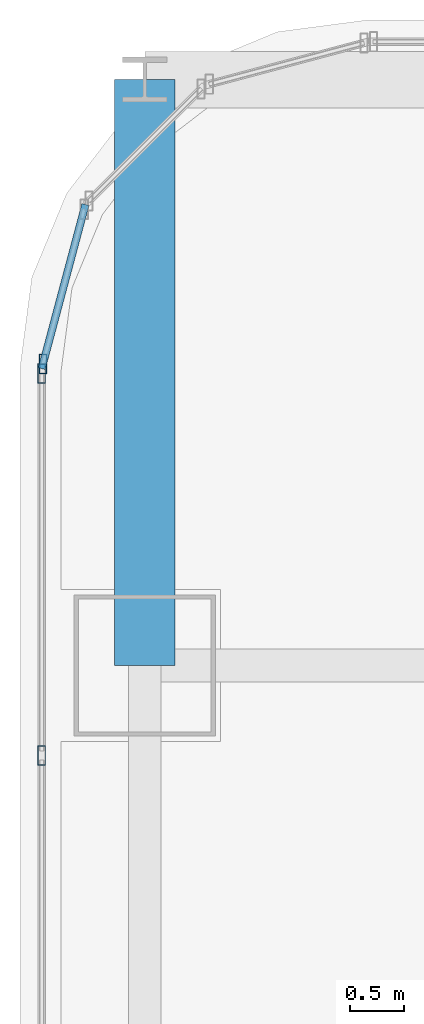
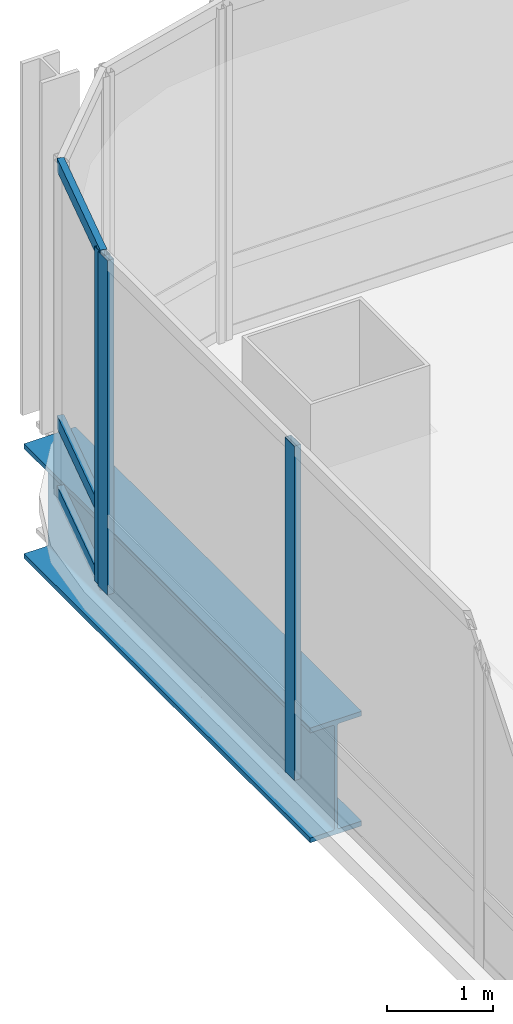
# One storey, part 22 of 39: 6 members, 1 beam, 2 elements without a shape of their own.
"""IFC4 building model written with IfcOpenShell, lengths in metres."""

import ifcopenshell
import ifcopenshell.guid

model = None  # the IFC model being written
_history = None  # IfcOwnerHistory: only IFC2X3 demands one
_inside = {}  # id of a spatial element -> (the spatial element, [elements in it])
_under = {}  # id of a project, library or spatial element -> (it, [spatial elements below it])
_declared = {}  # id of a project -> (the project, [libraries it declares])
_typed = {}  # id of a type object -> (the type object, [elements of that type])
_made_of = {}  # id of a material, layer set ... -> (it, [elements and type objects made of it])


def new_model(schema):
    """Start an empty IFC model of exactly this schema.

    Asked for "IFC4X3", IfcOpenShell would pick the latest addendum, in which some entities
    have other attributes; the version numbers below select the first issue.
    IFC2X3 requires an IfcOwnerHistory on every rooted entity: one is made here for all.
    """
    global model, _history
    if schema == "IFC4X3":
        model = ifcopenshell.file(schema_version=(4, 3, 0, 0))
    else:
        model = ifcopenshell.file(schema=schema)
    _inside.clear()
    _under.clear()
    _declared.clear()
    _typed.clear()
    _made_of.clear()
    _history = None
    if model.schema == "IFC2X3":
        org = make("IfcOrganization", Name="unknown")
        user = make(
            "IfcPersonAndOrganization",
            ThePerson=make("IfcPerson", FamilyName="unknown"),
            TheOrganization=org,
        )
        app = make(
            "IfcApplication",
            ApplicationDeveloper=org,
            Version="unknown",
            ApplicationFullName="unknown",
            ApplicationIdentifier="unknown",
        )
        _history = make(
            "IfcOwnerHistory",
            OwningUser=user,
            OwningApplication=app,
            ChangeAction="ADDED",
            CreationDate=0,
        )
    return model


def make(cls, **values):
    """One entity of the class cls with the attributes given. An attribute that is None is left unset."""
    return model.create_entity(
        cls, **{name: value for name, value in values.items() if value is not None}
    )


def rooted(cls, **values):
    """An entity with a GlobalId (a new one), such as an element, a storey or a relation."""
    return make(cls, GlobalId=ifcopenshell.guid.new(), OwnerHistory=_history, **values)


def si_unit(unit_type, name, prefix=None):
    """IfcSIUnit, for example si_unit("LENGTHUNIT", "METRE", prefix="MILLI")."""
    return make("IfcSIUnit", UnitType=unit_type, Prefix=prefix, Name=name)


def assignment(units):
    """IfcUnitAssignment: the units of a project."""
    return None if units is None else make("IfcUnitAssignment", Units=units)


def point(xyz):
    """IfcCartesianPoint."""
    return None if xyz is None else make("IfcCartesianPoint", Coordinates=xyz)


def direction(xyz):
    """IfcDirection."""
    return None if xyz is None else make("IfcDirection", DirectionRatios=xyz)


def frame(location, z_axis=None, x_axis=None):
    """IfcAxis2Placement3D, a coordinate frame: its origin and axes. An axis left out is left unset."""
    return make(
        "IfcAxis2Placement3D",
        Location=point(location),
        Axis=direction(z_axis),
        RefDirection=direction(x_axis),
    )


def frame_2d(location, x_axis=None):
    """IfcAxis2Placement2D, a coordinate frame in the plane: its origin and x axis."""
    return make(
        "IfcAxis2Placement2D", Location=point(location), RefDirection=direction(x_axis)
    )


def origin():
    """The frame at (0, 0, 0) with its axes left unset."""
    return frame((0.0, 0.0, 0.0))


def origin_2d():
    """The frame at (0, 0) in the plane with its x axis left unset."""
    return frame_2d((0.0, 0.0))


def place(relative_to, where):
    """IfcLocalPlacement: puts the frame where relative to a parent placement (None: the world)."""
    return make(
        "IfcLocalPlacement", PlacementRelTo=relative_to, RelativePlacement=where
    )


def context(
    kind, dimensions, precision=None, world=None, true_north=None, identifier=None
):
    """IfcGeometricRepresentationContext, for example the 3D "Model" context."""
    return make(
        "IfcGeometricRepresentationContext",
        ContextIdentifier=identifier,
        ContextType=kind,
        CoordinateSpaceDimension=dimensions,
        Precision=precision,
        WorldCoordinateSystem=world,
        TrueNorth=true_north,
    )


def subcontext(parent, identifier, kind, view, scale=None):
    """IfcGeometricRepresentationSubContext, for example "Body" below "Model"."""
    return make(
        "IfcGeometricRepresentationSubContext",
        ContextIdentifier=identifier,
        ContextType=kind,
        ParentContext=parent,
        TargetScale=scale,
        TargetView=view,
    )


def project(units=None, contexts=None):
    """IfcProject with its units and contexts."""
    return rooted(
        "IfcProject",
        Name="project",
        RepresentationContexts=contexts,
        UnitsInContext=assignment(units),
    )


def spatial(cls, under=None, at=None, **own):
    """A site, building, storey or space (cls), placed at a placement, below another one or the project."""
    s = rooted(cls, ObjectPlacement=at, **own)
    if under is not None:
        _under.setdefault(under.id(), (under, []))[1].append(s)
    return s


def profile(cls, at=None, kind="AREA", **sizes):
    """A parametric profile (cls). Its sizes go by their IFC names, for example OverallWidth=200.0."""
    return make(cls, ProfileType=kind, Position=at, **sizes)


def hollow_rectangle(**sizes):
    """IfcRectangleHollowProfileDef."""
    return profile("IfcRectangleHollowProfileDef", **sizes)


def i_section(**sizes):
    """IfcIShapeProfileDef."""
    return profile("IfcIShapeProfileDef", **sizes)


def extrude(swept, where, along, depth):
    """IfcExtrudedAreaSolid: the profile swept, set in the frame where, extruded along a direction by depth."""
    return make(
        "IfcExtrudedAreaSolid",
        SweptArea=swept,
        Position=where,
        ExtrudedDirection=direction(along),
        Depth=depth,
    )


def shape(context_of_items, identifier, shape_type, items):
    """IfcShapeRepresentation: the items that make up one representation, for example the "Body"."""
    return make(
        "IfcShapeRepresentation",
        ContextOfItems=context_of_items,
        RepresentationIdentifier=identifier,
        RepresentationType=shape_type,
        Items=items,
    )


def material(Name=None, Category=None):
    """IfcMaterial."""
    return make("IfcMaterial", Name=Name, Category=Category)


def material_profile(
    of_material, cross_section, Name=None, Category=None, Priority=None
):
    """IfcMaterialProfile: a cross section and its material."""
    return make(
        "IfcMaterialProfile",
        Name=Name,
        Material=of_material,
        Profile=cross_section,
        Priority=Priority,
        Category=Category,
    )


def profile_set(profiles, Name=None, composite=None):
    """IfcMaterialProfileSet."""
    return make(
        "IfcMaterialProfileSet",
        Name=Name,
        MaterialProfiles=profiles,
        CompositeProfile=composite,
    )


def made_of(thing, what):
    """Note that an element or type object is made of a material, layer set ...; save() writes the relation."""
    if what is not None:
        _made_of.setdefault(what.id(), (what, []))[1].append(thing)
    return thing


def type_object(cls, material=None, **own):
    """A type object (cls), such as IfcWallType, which elements share."""
    return made_of(rooted(cls, **own), material)


def element(
    cls,
    number,
    at=None,
    inside=None,
    cuts=None,
    type_object=None,
    material=None,
    context=None,
    identifier="Body",
    shape_type=None,
    held_by="IfcProductDefinitionShape",
    body=None,
    shapes=None,
    **own,
):
    """One element of the class cls, such as IfcWall. Its Tag is "e" and its number.

    at: its placement. inside: the storey or other place that contains it. cuts: it is an
    opening in that element (IfcRelVoidsElement). A single representation is given by context,
    identifier, shape_type and body (its items); several are given by shapes. held_by: the class
    of the entity that holds the representations. save() writes the other relations.
    """
    e = rooted(cls, Tag="e%d" % number, ObjectPlacement=at, **own)
    if body is not None:
        shapes = [shape(context, identifier, shape_type, body)]
    if shapes is not None:
        e.Representation = make(held_by, Representations=shapes)
    if inside is not None:
        _inside.setdefault(inside.id(), (inside, []))[1].append(e)
    if cuts is not None:
        rooted(
            "IfcRelVoidsElement", RelatingBuildingElement=cuts, RelatedOpeningElement=e
        )
    if type_object is not None:
        _typed.setdefault(type_object.id(), (type_object, []))[1].append(e)
    return made_of(e, material)


def aggregate(whole, parts):
    """IfcRelAggregates: a whole, such as a stair, and the parts it consists of."""
    return rooted("IfcRelAggregates", RelatingObject=whole, RelatedObjects=parts)


def save(model, path):
    """Write the relations noted so far, then the file.

    IfcRelAggregates (storeys below a building ...), IfcRelContainedInSpatialStructure (elements
    in a storey), IfcRelDefinesByType, IfcRelAssociatesMaterial and IfcRelDeclares: one each for
    every whole, place, type object, material and project.
    """
    for whole, parts in _under.values():
        aggregate(whole, parts)
    for where, things in _inside.values():
        rooted(
            "IfcRelContainedInSpatialStructure",
            RelatedElements=things,
            RelatingStructure=where,
        )
    for kind, things in _typed.values():
        rooted("IfcRelDefinesByType", RelatedObjects=things, RelatingType=kind)
    for what, things in _made_of.values():
        rooted("IfcRelAssociatesMaterial", RelatedObjects=things, RelatingMaterial=what)
    for by, libraries in _declared.values():
        rooted("IfcRelDeclares", RelatingContext=by, RelatedDefinitions=libraries)
    model.write(path)


model = new_model("IFC4")

# Units and contexts
model_context = context("Model", 3, precision=1e-05, world=origin(), true_north=direction((0.0, 1.0)))
body_context = subcontext(model_context, "Body", "Model", "MODEL_VIEW")
ifc_project = project(units=[si_unit("LENGTHUNIT", "METRE"), si_unit("AREAUNIT", "SQUARE_METRE"), si_unit("VOLUMEUNIT", "CUBIC_METRE"), si_unit("PLANEANGLEUNIT", "RADIAN"), si_unit("MASSUNIT", "GRAM", prefix="KILO")], contexts=[model_context])

# Site, building, storey
site_placement = place(None, origin())
site = spatial("IfcSite", under=ifc_project, at=site_placement, CompositionType="ELEMENT")
building_placement = place(site_placement, origin())
building = spatial("IfcBuilding", under=site, at=building_placement, Name="Punatoya Terracotta Tower", CompositionType="ELEMENT")
storey_placement = place(building_placement, frame((0.0, 0.0, 275.699951171875)))
storey = spatial("IfcBuildingStorey", under=building, at=storey_placement, Name="L65", CompositionType="ELEMENT", Elevation=275.699951171875)

# Beam
ifc_material_1 = material(Name="Steel S460", Category="steel")
ifc_material_profile_1 = material_profile(ifc_material_1, i_section(OverallWidth=0.56005859375, OverallDepth=1.320068359375, WebThickness=0.035888671875, FlangeThickness=0.054931640625, FilletRadius=0.01806640625, at=origin_2d()))
ifc_profile_set_1 = profile_set([ifc_material_profile_1], Name="Steel S460")
beam_type = type_object("IfcBeamType", Name="BM-TG-BLK", PredefinedType="BEAM", material=ifc_profile_set_1)
beam_placement = place(storey_placement, frame((-19.10009765625, 17.5, -0.85986328125), z_axis=(0.0, 1.0, 0.0), x_axis=(-1.0, 0.0, 0.0)))
element("IfcBeam", 1, at=beam_placement, inside=storey, type_object=beam_type, Name="BM-L65-CANT-N1", PredefinedType="BEAM", context=body_context, shape_type="SweptSolid", body=[
    extrude(i_section(OverallWidth=0.56005859375, OverallDepth=1.320068359375, WebThickness=0.035888671875, FlangeThickness=0.054931640625, FilletRadius=0.01806640625, at=origin_2d()), origin(), (0.0, 0.0, 1.0), 5.39990234375),
])

# Curtain wall, member
ifc_material_2 = material(Name="Aluminium 6063-T6 + Double Low-E Glass", Category="aluminium")
curtain_wall_type = type_object("IfcCurtainWallType", Name="CW-M3", PredefinedType="NOTDEFINED", material=ifc_material_2)
curtain_wall_1_placement = place(storey_placement, origin())
curtain_wall_1 = element("IfcCurtainWall", 2, at=curtain_wall_1_placement, inside=storey, type_object=curtain_wall_type, Name="L65 Curtain Wall CW-L65-CRN12", PredefinedType="NOTDEFINED")
ifc_material_3 = material(Name="Aluminium 6063-T6", Category="aluminium")
ifc_material_profile_2 = material_profile(ifc_material_3, hollow_rectangle(XDim=0.070068359375, YDim=0.179931640625, WallThickness=0.00390625, at=origin_2d()))
ifc_profile_set_2 = profile_set([ifc_material_profile_2], Name="Aluminium 6063-T6")
member_type_1 = type_object("IfcMemberType", Name="CW-MUL-M3", PredefinedType="MULLION", material=ifc_profile_set_2)
member_1_placement = place(storey_placement, frame((-20.038330078125, 20.280517578125, 0.0), z_axis=(0.0, 0.0, 1.0), x_axis=(1.0, 0.0, 0.0)))
member_1 = element("IfcMember", 3, at=member_1_placement, type_object=member_type_1, Name="CW-L65-CRN12 Mullion 01", PredefinedType="MULLION", context=body_context, shape_type="SweptSolid", body=[
    extrude(hollow_rectangle(XDim=0.070068359375, YDim=0.179931640625, WallThickness=0.00390625, at=origin_2d()), origin(), (0.0, 0.0, 1.0), 3.85009765625),
])

# Curtain wall, members
curtain_wall_2_placement = place(storey_placement, origin())
curtain_wall_2 = element("IfcCurtainWall", 4, at=curtain_wall_2_placement, inside=storey, type_object=curtain_wall_type, Name="L65 Curtain Wall CW-L65-W13-1", PredefinedType="NOTDEFINED")
member_2_placement = place(storey_placement, frame((-20.050048828125, 20.19189453125, 0.0), z_axis=(0.0, 0.0, 1.0), x_axis=(1.0, 0.0, 0.0)))
member_2 = element("IfcMember", 5, at=member_2_placement, type_object=member_type_1, Name="CW-L65-W13-1 Mullion 00", PredefinedType="MULLION", context=body_context, shape_type="SweptSolid", body=[
    extrude(hollow_rectangle(XDim=0.070068359375, YDim=0.179931640625, WallThickness=0.00390625, at=origin_2d()), origin(), (0.0, 0.0, 1.0), 3.85009765625),
])
member_3_placement = place(storey_placement, frame((-20.050048828125, 16.66943359375, 0.0), z_axis=(0.0, 0.0, 1.0), x_axis=(1.0, 0.0, 0.0)))
member_3 = element("IfcMember", 6, at=member_3_placement, type_object=member_type_1, Name="CW-L65-W13-1 Mullion 01", PredefinedType="MULLION", context=body_context, shape_type="SweptSolid", body=[
    extrude(hollow_rectangle(XDim=0.070068359375, YDim=0.179931640625, WallThickness=0.00390625, at=origin_2d()), origin(), (0.0, 0.0, 1.0), 3.85009765625),
])
aggregate(curtain_wall_2, [member_2, member_3])

# Member
ifc_material_profile_3 = material_profile(ifc_material_3, hollow_rectangle(XDim=0.068115234375, YDim=0.14990234375, WallThickness=0.00390625, at=origin_2d()))
ifc_profile_set_3 = profile_set([ifc_material_profile_3], Name="Aluminium 6063-T6")
member_type_2 = type_object("IfcMemberType", Name="CW-TRN-TYP", PredefinedType="USERDEFINED", material=ifc_profile_set_3)
member_4_placement = place(storey_placement, frame((-19.646484375, 21.7490234375, 0.0400390625), z_axis=(-0.257847112249, -0.966185730957, 0.0), x_axis=(0.966185730957, -0.257847112249, 0.0)))
member_4 = element("IfcMember", 7, at=member_4_placement, type_object=member_type_2, Name="CW-L65-CRN12 Transom 1", ObjectType="TRANSOM", PredefinedType="USERDEFINED", context=body_context, shape_type="SweptSolid", body=[
    extrude(hollow_rectangle(XDim=0.068115234375, YDim=0.14990234375, WallThickness=0.00390625, at=origin_2d()), origin(), (0.0, 0.0, 1.0), 1.565185546875),
])

member_5_placement = place(storey_placement, frame((-19.646484375, 21.7490234375, 0.85009765625), z_axis=(-0.257847112249, -0.966185730957, 0.0), x_axis=(0.966185730957, -0.257847112249, 0.0)))
member_5 = element("IfcMember", 8, at=member_5_placement, type_object=member_type_2, Name="CW-L65-CRN12 Transom 2", ObjectType="TRANSOM", PredefinedType="USERDEFINED", context=body_context, shape_type="SweptSolid", body=[
    extrude(hollow_rectangle(XDim=0.068115234375, YDim=0.14990234375, WallThickness=0.00390625, at=origin_2d()), origin(), (0.0, 0.0, 1.0), 1.565185546875),
])

member_6_placement = place(storey_placement, frame((-19.646484375, 21.7490234375, 3.81005859375), z_axis=(-0.257847112249, -0.966185730957, 0.0), x_axis=(0.966185730957, -0.257847112249, 0.0)))
member_6 = element("IfcMember", 9, at=member_6_placement, type_object=member_type_2, Name="CW-L65-CRN12 Transom 3", ObjectType="TRANSOM", PredefinedType="USERDEFINED", context=body_context, shape_type="SweptSolid", body=[
    extrude(hollow_rectangle(XDim=0.068115234375, YDim=0.14990234375, WallThickness=0.00390625, at=origin_2d()), origin(), (0.0, 0.0, 1.0), 1.565185546875),
])

aggregate(curtain_wall_1, [member_1, member_4, member_5, member_6])

save(model, "model.ifc")
